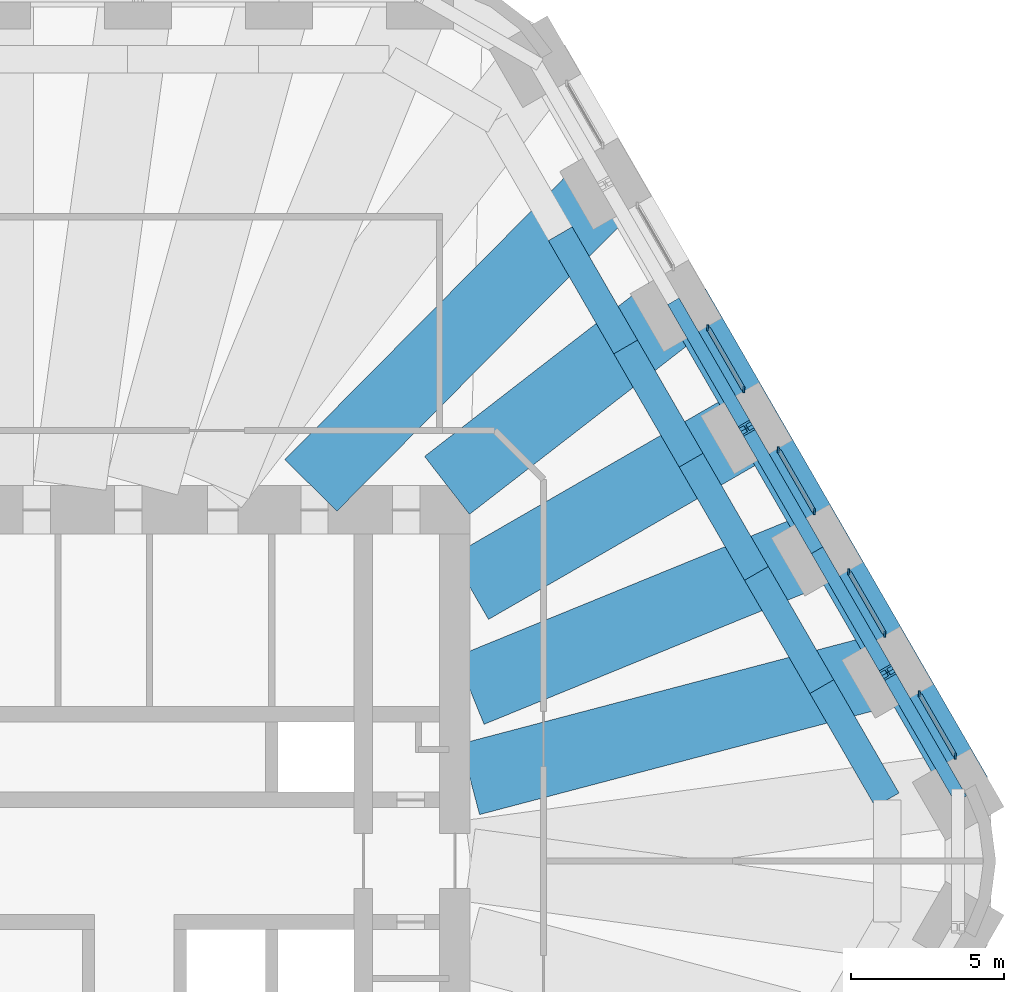
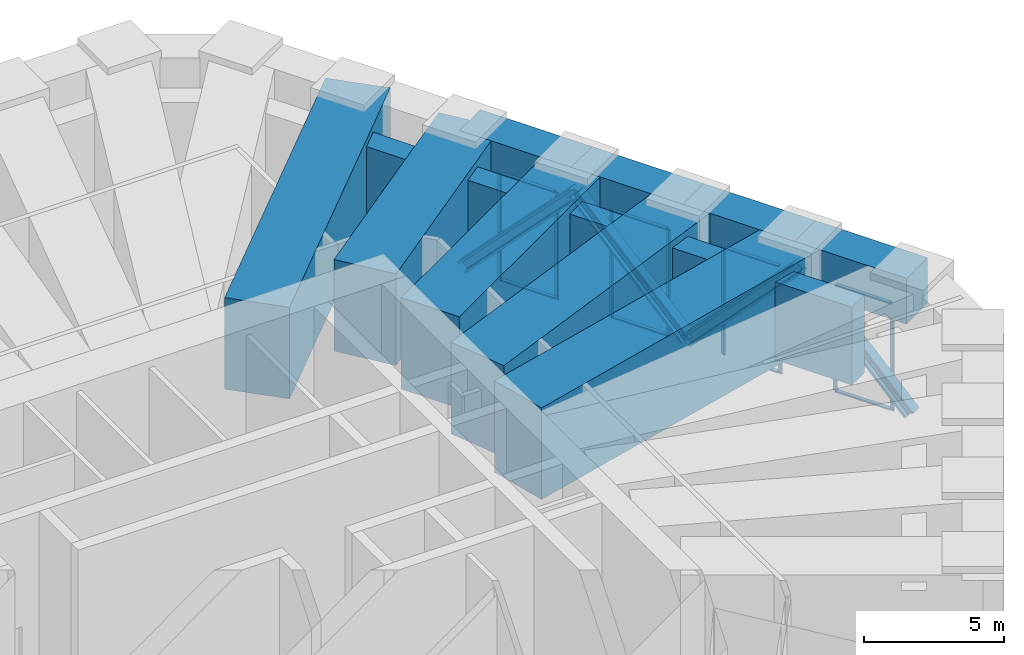
# One storey, part 8 of 14: 20 members, 14 beams, 4 elements without a shape of their own.
"""IFC4 building model written with IfcOpenShell, lengths in metres."""

from ifc_helpers import new_model, si_unit, direction, frame, origin, origin_2d, place, context, subcontext, project, spatial, rectangle, i_section, extrude, material, material_profile, profile_set, type_object, element, aggregate, save


model = new_model("IFC4")

# Units and contexts
model_context = context("Model", 3, precision=1e-05, world=origin(), true_north=direction((0.0, 1.0)))
body_context = subcontext(model_context, "Body", "Model", "MODEL_VIEW")
ifc_project = project(units=[si_unit("LENGTHUNIT", "METRE"), si_unit("AREAUNIT", "SQUARE_METRE"), si_unit("VOLUMEUNIT", "CUBIC_METRE"), si_unit("PLANEANGLEUNIT", "RADIAN"), si_unit("MASSUNIT", "GRAM", prefix="KILO")], contexts=[model_context])

# Site, building, storey
site_placement = place(None, origin())
site = spatial("IfcSite", under=ifc_project, at=site_placement, CompositionType="ELEMENT")
building_placement = place(site_placement, origin())
building = spatial("IfcBuilding", under=site, at=building_placement, Name="Tarfa Lantern Tower", CompositionType="ELEMENT")
storey_placement = place(building_placement, frame((0.0, 0.0, 299.5)))
storey = spatial("IfcBuildingStorey", under=building, at=storey_placement, Name="L68", CompositionType="ELEMENT", Elevation=299.5)

# Members
ifc_material_1 = material(Name="Steel S460M", Category="steel")
ifc_material_profile_1 = material_profile(ifc_material_1, i_section(OverallWidth=0.431884765625, OverallDepth=0.498046875, WebThickness=0.0556640625, FlangeThickness=0.0888671875, FilletRadius=0.02001953125, at=origin_2d()), Name="HD400x744")
ifc_profile_set_1 = profile_set([ifc_material_profile_1], Name="Steel S460M")
member_type_1 = type_object("IfcMemberType", Name="BT3 HD400x744", PredefinedType="BRACE", material=ifc_profile_set_1)
for number, where, z_axis, x_axis, name in (
    (1, (31.47998046875, 2.175048828125, 0.60009765625), (-0.346685053974, 0.600495604642, 0.720565404496), (-0.866032426089, -0.499987836815, 0.0), "Belt truss diagonal 1"),
    (2, (26.861328125, 10.175048828125, 0.60009765625), (0.346685053974, -0.600495604642, 0.720565404496), (0.866032426089, 0.499987836815, 0.0), "Belt truss diagonal 2"),
    (3, (26.861328125, 10.175048828125, 0.60009765625), (-0.346717299558, 0.600487974203, 0.720556248342), (-0.866009537788, -0.500027479704, 0.0), "Belt truss diagonal 3"),
    (4, (22.242431640625, 18.175048828125, 0.60009765625), (0.346685053974, -0.600495604642, 0.720565404496), (0.866032426089, 0.499987836815, 0.0), "Belt truss diagonal 4"),
):
    element("IfcMember", number, at=place(storey_placement, frame(where, z_axis=z_axis, x_axis=x_axis)), inside=storey, type_object=member_type_1, Name=name, PredefinedType="BRACE", context=body_context, shape_type="SweptSolid", body=[
        extrude(i_section(OverallWidth=0.431884765625, OverallDepth=0.498046875, WebThickness=0.0556640625, FlangeThickness=0.0888671875, FilletRadius=0.02001953125, at=origin_2d()), origin(), (0.0, 0.0, 1.0), 6.6611328125),
    ])

# Curtain wall, members
ifc_material_2 = material(Name="Aluminium framed curtain wall", Category="aluminium")
curtain_wall_type = type_object("IfcCurtainWallType", Name="CW6 LOUVRED SCREEN WALL 4700", PredefinedType="USERDEFINED", material=ifc_material_2)
curtain_wall_1_placement = place(storey_placement, origin())
curtain_wall_1 = element("IfcCurtainWall", 5, at=curtain_wall_1_placement, inside=storey, type_object=curtain_wall_type, Name="CW6 NE L68", ObjectType="CURTAIN WALL", PredefinedType="USERDEFINED")
ifc_material_3 = material(Name="Aluminium mullion", Category="aluminium")
ifc_material_profile_2 = material_profile(ifc_material_3, rectangle(XDim=0.06494140625, YDim=0.199951171875, at=origin_2d()), Name="AL MULLION 65x200")
ifc_profile_set_2 = profile_set([ifc_material_profile_2], Name="Aluminium mullion")
member_type_2 = type_object("IfcMemberType", Name="CWM1 MULLION 65x200", PredefinedType="MULLION", material=ifc_profile_set_2)
member_1_placement = place(storey_placement, frame((31.39013671875, 3.4306640625, 0.0), z_axis=(0.0, 0.0, 1.0), x_axis=(1.0, 0.0, 0.0)))
member_1 = element("IfcMember", 6, at=member_1_placement, type_object=member_type_2, Name="CW6 mullion 1", PredefinedType="MULLION", context=body_context, shape_type="SweptSolid", body=[
    extrude(rectangle(XDim=0.06494140625, YDim=0.199951171875, at=origin_2d()), origin(), (0.0, 0.0, 1.0), 4.699951171875),
])
member_2_placement = place(storey_placement, frame((30.213134765625, 5.46923828125, 0.0), z_axis=(0.0, 0.0, 1.0), x_axis=(1.0, 0.0, 0.0)))
member_2 = element("IfcMember", 7, at=member_2_placement, type_object=member_type_2, Name="CW6 mullion 2", PredefinedType="MULLION", context=body_context, shape_type="SweptSolid", body=[
    extrude(rectangle(XDim=0.06494140625, YDim=0.199951171875, at=origin_2d()), origin(), (0.0, 0.0, 1.0), 4.699951171875),
])

curtain_wall_2_placement = place(storey_placement, origin())
curtain_wall_2 = element("IfcCurtainWall", 8, at=curtain_wall_2_placement, inside=storey, type_object=curtain_wall_type, Name="CW6 NE L68", ObjectType="CURTAIN WALL", PredefinedType="USERDEFINED")
member_3_placement = place(storey_placement, frame((29.08056640625, 7.4306640625, 0.0), z_axis=(0.0, 0.0, 1.0), x_axis=(1.0, 0.0, 0.0)))
member_3 = element("IfcMember", 9, at=member_3_placement, type_object=member_type_2, Name="CW6 mullion 1", PredefinedType="MULLION", context=body_context, shape_type="SweptSolid", body=[
    extrude(rectangle(XDim=0.06494140625, YDim=0.199951171875, at=origin_2d()), origin(), (0.0, 0.0, 1.0), 4.699951171875),
])
member_4_placement = place(storey_placement, frame((27.90380859375, 9.46923828125, 0.0), z_axis=(0.0, 0.0, 1.0), x_axis=(1.0, 0.0, 0.0)))
member_4 = element("IfcMember", 10, at=member_4_placement, type_object=member_type_2, Name="CW6 mullion 2", PredefinedType="MULLION", context=body_context, shape_type="SweptSolid", body=[
    extrude(rectangle(XDim=0.06494140625, YDim=0.199951171875, at=origin_2d()), origin(), (0.0, 0.0, 1.0), 4.699951171875),
])

curtain_wall_3_placement = place(storey_placement, origin())
curtain_wall_3 = element("IfcCurtainWall", 11, at=curtain_wall_3_placement, inside=storey, type_object=curtain_wall_type, Name="CW6 NE L68", ObjectType="CURTAIN WALL", PredefinedType="USERDEFINED")
member_5_placement = place(storey_placement, frame((26.771240234375, 11.4306640625, 0.0), z_axis=(0.0, 0.0, 1.0), x_axis=(1.0, 0.0, 0.0)))
member_5 = element("IfcMember", 12, at=member_5_placement, type_object=member_type_2, Name="CW6 mullion 1", PredefinedType="MULLION", context=body_context, shape_type="SweptSolid", body=[
    extrude(rectangle(XDim=0.06494140625, YDim=0.199951171875, at=origin_2d()), origin(), (0.0, 0.0, 1.0), 4.699951171875),
])
member_6_placement = place(storey_placement, frame((25.594482421875, 13.46923828125, 0.0), z_axis=(0.0, 0.0, 1.0), x_axis=(1.0, 0.0, 0.0)))
member_6 = element("IfcMember", 13, at=member_6_placement, type_object=member_type_2, Name="CW6 mullion 2", PredefinedType="MULLION", context=body_context, shape_type="SweptSolid", body=[
    extrude(rectangle(XDim=0.06494140625, YDim=0.199951171875, at=origin_2d()), origin(), (0.0, 0.0, 1.0), 4.699951171875),
])

curtain_wall_4_placement = place(storey_placement, origin())
curtain_wall_4 = element("IfcCurtainWall", 14, at=curtain_wall_4_placement, inside=storey, type_object=curtain_wall_type, Name="CW6 NE L68", ObjectType="CURTAIN WALL", PredefinedType="USERDEFINED")
member_7_placement = place(storey_placement, frame((24.4619140625, 15.4306640625, 0.0), z_axis=(0.0, 0.0, 1.0), x_axis=(1.0, 0.0, 0.0)))
member_7 = element("IfcMember", 15, at=member_7_placement, type_object=member_type_2, Name="CW6 mullion 1", PredefinedType="MULLION", context=body_context, shape_type="SweptSolid", body=[
    extrude(rectangle(XDim=0.06494140625, YDim=0.199951171875, at=origin_2d()), origin(), (0.0, 0.0, 1.0), 4.699951171875),
])
member_8_placement = place(storey_placement, frame((23.284912109375, 17.46923828125, 0.0), z_axis=(0.0, 0.0, 1.0), x_axis=(1.0, 0.0, 0.0)))
member_8 = element("IfcMember", 16, at=member_8_placement, type_object=member_type_2, Name="CW6 mullion 2", PredefinedType="MULLION", context=body_context, shape_type="SweptSolid", body=[
    extrude(rectangle(XDim=0.06494140625, YDim=0.199951171875, at=origin_2d()), origin(), (0.0, 0.0, 1.0), 4.699951171875),
])

# Member
ifc_material_4 = material(Name="Aluminium transom", Category="aluminium")
ifc_material_profile_3 = material_profile(ifc_material_4, rectangle(XDim=0.14990234375, YDim=0.06494140625, at=origin_2d()), Name="AL TRANSOM 150x65")
ifc_profile_set_3 = profile_set([ifc_material_profile_3], Name="Aluminium transom")
member_type_3 = type_object("IfcMemberType", Name="CWT1 TRANSOM 150x65", PredefinedType="USERDEFINED", material=ifc_profile_set_3)
member_9_placement = place(storey_placement, frame((31.373779296875, 3.458984375, 0.032470703125), z_axis=(-0.499959451571, 0.866048813165, 0.0), x_axis=(-0.866048813165, -0.499959451571, 0.0)))
member_9 = element("IfcMember", 17, at=member_9_placement, type_object=member_type_3, Name="CW6 transom 1.1", ObjectType="TRANSOM", PredefinedType="USERDEFINED", context=body_context, shape_type="SweptSolid", body=[
    extrude(rectangle(XDim=0.14990234375, YDim=0.06494140625, at=origin_2d()), origin(), (0.0, 0.0, 1.0), 2.288818359375),
])

member_10_placement = place(storey_placement, frame((31.373779296875, 3.458984375, 4.66748046875), z_axis=(-0.499959451571, 0.866048813165, 0.0), x_axis=(-0.866048813165, -0.499959451571, 0.0)))
member_10 = element("IfcMember", 18, at=member_10_placement, type_object=member_type_3, Name="CW6 transom 1.2", ObjectType="TRANSOM", PredefinedType="USERDEFINED", context=body_context, shape_type="SweptSolid", body=[
    extrude(rectangle(XDim=0.14990234375, YDim=0.06494140625, at=origin_2d()), origin(), (0.0, 0.0, 1.0), 2.288818359375),
])

aggregate(curtain_wall_1, [member_1, member_2, member_9, member_10])

member_11_placement = place(storey_placement, frame((29.064453125, 7.458984375, 0.032470703125), z_axis=(-0.500039451542, 0.866002625228, 0.0), x_axis=(-0.866002625228, -0.500039451542, 0.0)))
member_11 = element("IfcMember", 19, at=member_11_placement, type_object=member_type_3, Name="CW6 transom 1.1", ObjectType="TRANSOM", PredefinedType="USERDEFINED", context=body_context, shape_type="SweptSolid", body=[
    extrude(rectangle(XDim=0.14990234375, YDim=0.06494140625, at=origin_2d()), origin(), (0.0, 0.0, 1.0), 2.288818359375),
])

member_12_placement = place(storey_placement, frame((29.064453125, 7.458984375, 4.66748046875), z_axis=(-0.500039451542, 0.866002625228, 0.0), x_axis=(-0.866002625228, -0.500039451542, 0.0)))
member_12 = element("IfcMember", 20, at=member_12_placement, type_object=member_type_3, Name="CW6 transom 1.2", ObjectType="TRANSOM", PredefinedType="USERDEFINED", context=body_context, shape_type="SweptSolid", body=[
    extrude(rectangle(XDim=0.14990234375, YDim=0.06494140625, at=origin_2d()), origin(), (0.0, 0.0, 1.0), 2.288818359375),
])

aggregate(curtain_wall_2, [member_3, member_4, member_11, member_12])

member_13_placement = place(storey_placement, frame((26.755126953125, 11.458984375, 0.032470703125), z_axis=(-0.500039451542, 0.866002625228, 0.0), x_axis=(-0.866002625228, -0.500039451542, 0.0)))
member_13 = element("IfcMember", 21, at=member_13_placement, type_object=member_type_3, Name="CW6 transom 1.1", ObjectType="TRANSOM", PredefinedType="USERDEFINED", context=body_context, shape_type="SweptSolid", body=[
    extrude(rectangle(XDim=0.14990234375, YDim=0.06494140625, at=origin_2d()), origin(), (0.0, 0.0, 1.0), 2.288818359375),
])

member_14_placement = place(storey_placement, frame((26.755126953125, 11.458984375, 4.66748046875), z_axis=(-0.500039451542, 0.866002625228, 0.0), x_axis=(-0.866002625228, -0.500039451542, 0.0)))
member_14 = element("IfcMember", 22, at=member_14_placement, type_object=member_type_3, Name="CW6 transom 1.2", ObjectType="TRANSOM", PredefinedType="USERDEFINED", context=body_context, shape_type="SweptSolid", body=[
    extrude(rectangle(XDim=0.14990234375, YDim=0.06494140625, at=origin_2d()), origin(), (0.0, 0.0, 1.0), 2.288818359375),
])

aggregate(curtain_wall_3, [member_5, member_6, member_13, member_14])

member_15_placement = place(storey_placement, frame((24.445556640625, 15.458984375, 0.032470703125), z_axis=(-0.499959451571, 0.866048813165, 0.0), x_axis=(-0.866048813165, -0.499959451571, 0.0)))
member_15 = element("IfcMember", 23, at=member_15_placement, type_object=member_type_3, Name="CW6 transom 1.1", ObjectType="TRANSOM", PredefinedType="USERDEFINED", context=body_context, shape_type="SweptSolid", body=[
    extrude(rectangle(XDim=0.14990234375, YDim=0.06494140625, at=origin_2d()), origin(), (0.0, 0.0, 1.0), 2.288818359375),
])

member_16_placement = place(storey_placement, frame((24.445556640625, 15.458984375, 4.66748046875), z_axis=(-0.499959451571, 0.866048813165, 0.0), x_axis=(-0.866048813165, -0.499959451571, 0.0)))
member_16 = element("IfcMember", 24, at=member_16_placement, type_object=member_type_3, Name="CW6 transom 1.2", ObjectType="TRANSOM", PredefinedType="USERDEFINED", context=body_context, shape_type="SweptSolid", body=[
    extrude(rectangle(XDim=0.14990234375, YDim=0.06494140625, at=origin_2d()), origin(), (0.0, 0.0, 1.0), 2.288818359375),
])

aggregate(curtain_wall_4, [member_7, member_8, member_15, member_16])

# Beams
ifc_material_5 = material(Name="Concrete C80/95", Category="concrete")
ifc_material_profile_4 = material_profile(ifc_material_5, rectangle(XDim=1.5, YDim=2.0, at=origin_2d()), Name="RC 1500x2000")
ifc_profile_set_4 = profile_set([ifc_material_profile_4], Name="Concrete C80/95")
beam_type_1 = type_object("IfcBeamType", Name="RB3 RC 1500x2000", PredefinedType="BEAM", material=ifc_profile_set_4)
beam_1_placement = place(storey_placement, frame((31.800537109375, 2.360107421875, 5.699951171875), z_axis=(-0.500027479704, 0.866009537788, 0.0), x_axis=(-0.866009537788, -0.500027479704, 0.0)))
element("IfcBeam", 25, at=beam_1_placement, inside=storey, type_object=beam_type_1, Name="Edge beam NE0", PredefinedType="BEAM", context=body_context, shape_type="SweptSolid", body=[
    extrude(rectangle(XDim=1.5, YDim=2.0, at=origin_2d()), origin(), (0.0, 0.0, 1.0), 4.618896484375),
])
for number, where, z_axis, x_axis, name in (
    (26, (29.490966796875, 6.360107421875, 5.699951171875), (-0.499987836815, 0.866032426089, 0.0), (-0.866032426089, -0.499987836815, 0.0), "Edge beam NE1"),
    (27, (27.181640625, 10.360107421875, 5.699951171875), (-0.499987836815, 0.866032426089, 0.0), (-0.866032426089, -0.499987836815, 0.0), "Edge beam NE2"),
):
    element("IfcBeam", number, at=place(storey_placement, frame(where, z_axis=z_axis, x_axis=x_axis)), inside=storey, type_object=beam_type_1, Name=name, PredefinedType="BEAM", context=body_context, shape_type="SweptSolid", body=[
        extrude(rectangle(XDim=1.5, YDim=2.0, at=origin_2d()), origin(), (0.0, 0.0, 1.0), 4.61865234375),
    ])
beam_2_placement = place(storey_placement, frame((24.872314453125, 14.360107421875, 5.699951171875), z_axis=(-0.500027479704, 0.866009537788, 0.0), x_axis=(-0.866009537788, -0.500027479704, 0.0)))
element("IfcBeam", 28, at=beam_2_placement, inside=storey, type_object=beam_type_1, Name="Edge beam NE3", PredefinedType="BEAM", context=body_context, shape_type="SweptSolid", body=[
    extrude(rectangle(XDim=1.5, YDim=2.0, at=origin_2d()), origin(), (0.0, 0.0, 1.0), 4.618896484375),
])
ifc_material_profile_5 = material_profile(ifc_material_5, rectangle(XDim=0.89990234375, YDim=3.39990234375, at=origin_2d()), Name="RC 900x3400")
ifc_profile_set_5 = profile_set([ifc_material_profile_5], Name="Concrete C80/95")
beam_type_2 = type_object("IfcBeamType", Name="RG3 RC 900x3400", PredefinedType="BEAM", material=ifc_profile_set_5)
for number, where, z_axis, x_axis, name in (
    (29, (29.15625, 2.0, 4.699951171875), (-0.500026801138, 0.866009929587, 0.0), (-0.866009929587, -0.500026801138, 0.0), "Ring girder NE0"),
    (30, (27.01513671875, 5.708251953125, 4.699951171875), (-0.499959351497, 0.866048870937, 0.0), (-0.866048870937, -0.499959351497, 0.0), "Ring girder NE1"),
    (31, (24.874267578125, 9.416748046875, 4.699951171875), (-0.500026801138, 0.866009929587, 0.0), (-0.866009929587, -0.500026801138, 0.0), "Ring girder NE2"),
    (32, (22.733154296875, 13.125, 4.699951171875), (-0.500026801138, 0.866009929587, 0.0), (-0.866009929587, -0.500026801138, 0.0), "Ring girder NE3"),
    (33, (20.592041015625, 16.833251953125, 4.699951171875), (-0.499959351497, 0.866048870937, 0.0), (-0.866048870937, -0.499959351497, 0.0), "Ring girder NE4"),
):
    element("IfcBeam", number, at=place(storey_placement, frame(where, z_axis=z_axis, x_axis=x_axis)), inside=storey, type_object=beam_type_2, Name=name, PredefinedType="BEAM", context=body_context, shape_type="SweptSolid", body=[
        extrude(rectangle(XDim=0.89990234375, YDim=3.39990234375, at=origin_2d()), origin(), (0.0, 0.0, 1.0), 4.281982421875),
    ])
ifc_material_profile_6 = material_profile(ifc_material_5, rectangle(XDim=2.39990234375, YDim=4.0, at=origin_2d()), Name="RC 2400x4000")
ifc_profile_set_6 = profile_set([ifc_material_profile_6], Name="Concrete C80/95")
beam_type_3 = type_object("IfcBeamType", Name="TG3 RC 2400x4000", PredefinedType="BEAM", material=ifc_profile_set_6)
beam_3_placement = place(storey_placement, frame((29.490966796875, 6.360107421875, 4.699951171875), z_axis=(-0.967061201985, -0.25454396794, 0.0), x_axis=(0.25454396794, -0.967061201985, 0.0)))
element("IfcBeam", 34, at=beam_3_placement, inside=storey, type_object=beam_type_3, Name="Transfer girder NE1", PredefinedType="BEAM", context=body_context, shape_type="SweptSolid", body=[
    extrude(rectangle(XDim=2.39990234375, YDim=4.0, at=origin_2d()), origin(), (0.0, 0.0, 1.0), 14.467529296875),
])
beam_4_placement = place(storey_placement, frame((27.181640625, 10.360107421875, 4.699951171875), z_axis=(-0.925636295671, -0.3784143868, 0.0), x_axis=(0.3784143868, -0.925636295671, 0.0)))
element("IfcBeam", 35, at=beam_4_placement, inside=storey, type_object=beam_type_3, Name="Transfer girder NE2", PredefinedType="BEAM", context=body_context, shape_type="SweptSolid", body=[
    extrude(rectangle(XDim=2.39990234375, YDim=4.0, at=origin_2d()), origin(), (0.0, 0.0, 1.0), 12.6201171875),
])
beam_5_placement = place(storey_placement, frame((24.872314453125, 14.360107421875, 4.699951171875), z_axis=(-0.8660244219, -0.500001700669, 0.0), x_axis=(0.500001700669, -0.8660244219, 0.0)))
element("IfcBeam", 36, at=beam_5_placement, inside=storey, type_object=beam_type_3, Name="Transfer girder NE3", PredefinedType="BEAM", context=body_context, shape_type="SweptSolid", body=[
    extrude(rectangle(XDim=2.39990234375, YDim=4.0, at=origin_2d()), origin(), (0.0, 0.0, 1.0), 10.822265625),
])
beam_6_placement = place(storey_placement, frame((22.562744140625, 18.360107421875, 4.699951171875), z_axis=(-0.79053181074, -0.612420979563, 0.0), x_axis=(0.612420979563, -0.79053181074, 0.0)))
element("IfcBeam", 37, at=beam_6_placement, inside=storey, type_object=beam_type_3, Name="Transfer girder NE4", PredefinedType="BEAM", context=body_context, shape_type="SweptSolid", body=[
    extrude(rectangle(XDim=2.39990234375, YDim=4.0, at=origin_2d()), origin(), (0.0, 0.0, 1.0), 9.895263671875),
])
beam_7_placement = place(storey_placement, frame((20.25341796875, 22.360107421875, 4.699951171875), z_axis=(-0.703962825623, -0.710236819759, 0.0), x_axis=(0.710236819759, -0.703962825623, 0.0)))
element("IfcBeam", 38, at=beam_7_placement, inside=storey, type_object=beam_type_3, Name="Transfer girder NE5", PredefinedType="BEAM", context=body_context, shape_type="SweptSolid", body=[
    extrude(rectangle(XDim=2.39990234375, YDim=4.0, at=origin_2d()), origin(), (0.0, 0.0, 1.0), 14.164306640625),
])

save(model, "model.ifc")
